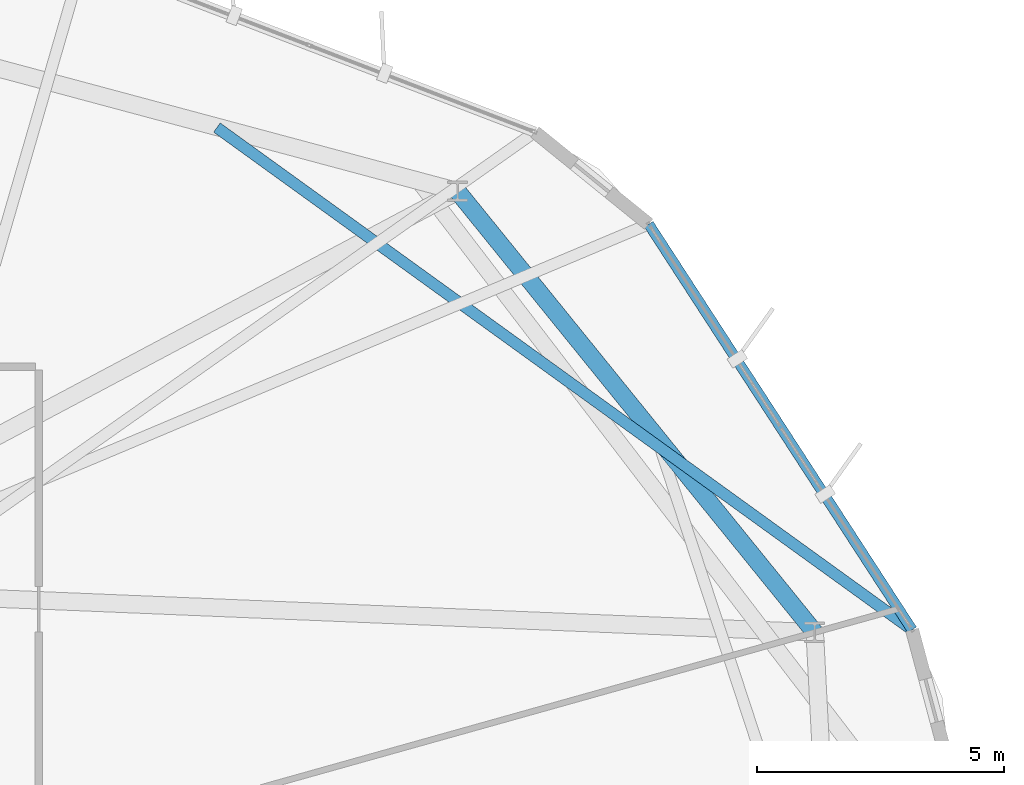
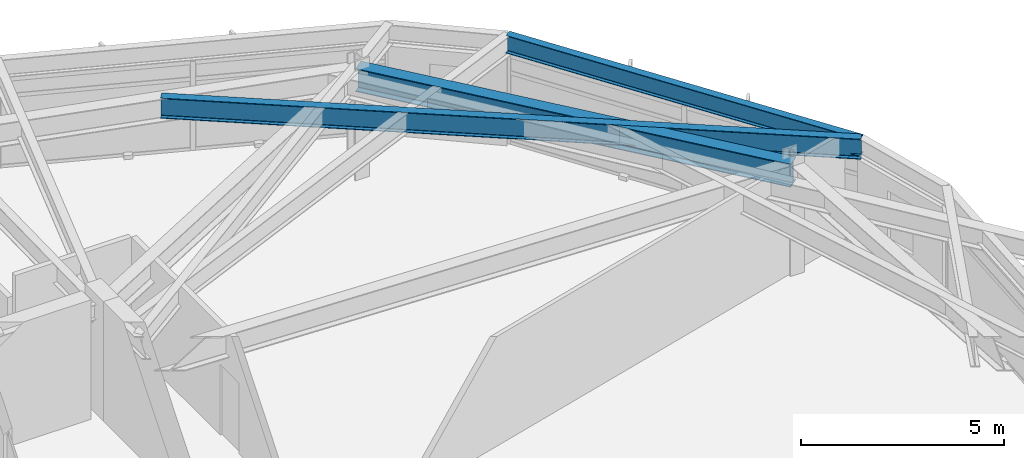
# One storey, part 21 of 29: 3 beams.
"""IFC4 building model written with IfcOpenShell, lengths in metres."""

import ifcopenshell
import ifcopenshell.guid

model = None  # the IFC model being written
_history = None  # IfcOwnerHistory: only IFC2X3 demands one
_inside = {}  # id of a spatial element -> (the spatial element, [elements in it])
_under = {}  # id of a project, library or spatial element -> (it, [spatial elements below it])
_declared = {}  # id of a project -> (the project, [libraries it declares])
_typed = {}  # id of a type object -> (the type object, [elements of that type])
_made_of = {}  # id of a material, layer set ... -> (it, [elements and type objects made of it])


def new_model(schema):
    """Start an empty IFC model of exactly this schema.

    Asked for "IFC4X3", IfcOpenShell would pick the latest addendum, in which some entities
    have other attributes; the version numbers below select the first issue.
    IFC2X3 requires an IfcOwnerHistory on every rooted entity: one is made here for all.
    """
    global model, _history
    if schema == "IFC4X3":
        model = ifcopenshell.file(schema_version=(4, 3, 0, 0))
    else:
        model = ifcopenshell.file(schema=schema)
    _inside.clear()
    _under.clear()
    _declared.clear()
    _typed.clear()
    _made_of.clear()
    _history = None
    if model.schema == "IFC2X3":
        org = make("IfcOrganization", Name="unknown")
        user = make(
            "IfcPersonAndOrganization",
            ThePerson=make("IfcPerson", FamilyName="unknown"),
            TheOrganization=org,
        )
        app = make(
            "IfcApplication",
            ApplicationDeveloper=org,
            Version="unknown",
            ApplicationFullName="unknown",
            ApplicationIdentifier="unknown",
        )
        _history = make(
            "IfcOwnerHistory",
            OwningUser=user,
            OwningApplication=app,
            ChangeAction="ADDED",
            CreationDate=0,
        )
    return model


def make(cls, **values):
    """One entity of the class cls with the attributes given. An attribute that is None is left unset."""
    return model.create_entity(
        cls, **{name: value for name, value in values.items() if value is not None}
    )


def rooted(cls, **values):
    """An entity with a GlobalId (a new one), such as an element, a storey or a relation."""
    return make(cls, GlobalId=ifcopenshell.guid.new(), OwnerHistory=_history, **values)


def si_unit(unit_type, name, prefix=None):
    """IfcSIUnit, for example si_unit("LENGTHUNIT", "METRE", prefix="MILLI")."""
    return make("IfcSIUnit", UnitType=unit_type, Prefix=prefix, Name=name)


def assignment(units):
    """IfcUnitAssignment: the units of a project."""
    return None if units is None else make("IfcUnitAssignment", Units=units)


def point(xyz):
    """IfcCartesianPoint."""
    return None if xyz is None else make("IfcCartesianPoint", Coordinates=xyz)


def direction(xyz):
    """IfcDirection."""
    return None if xyz is None else make("IfcDirection", DirectionRatios=xyz)


def frame(location, z_axis=None, x_axis=None):
    """IfcAxis2Placement3D, a coordinate frame: its origin and axes. An axis left out is left unset."""
    return make(
        "IfcAxis2Placement3D",
        Location=point(location),
        Axis=direction(z_axis),
        RefDirection=direction(x_axis),
    )


def frame_2d(location, x_axis=None):
    """IfcAxis2Placement2D, a coordinate frame in the plane: its origin and x axis."""
    return make(
        "IfcAxis2Placement2D", Location=point(location), RefDirection=direction(x_axis)
    )


def origin():
    """The frame at (0, 0, 0) with its axes left unset."""
    return frame((0.0, 0.0, 0.0))


def origin_2d():
    """The frame at (0, 0) in the plane with its x axis left unset."""
    return frame_2d((0.0, 0.0))


def place(relative_to, where):
    """IfcLocalPlacement: puts the frame where relative to a parent placement (None: the world)."""
    return make(
        "IfcLocalPlacement", PlacementRelTo=relative_to, RelativePlacement=where
    )


def context(
    kind, dimensions, precision=None, world=None, true_north=None, identifier=None
):
    """IfcGeometricRepresentationContext, for example the 3D "Model" context."""
    return make(
        "IfcGeometricRepresentationContext",
        ContextIdentifier=identifier,
        ContextType=kind,
        CoordinateSpaceDimension=dimensions,
        Precision=precision,
        WorldCoordinateSystem=world,
        TrueNorth=true_north,
    )


def subcontext(parent, identifier, kind, view, scale=None):
    """IfcGeometricRepresentationSubContext, for example "Body" below "Model"."""
    return make(
        "IfcGeometricRepresentationSubContext",
        ContextIdentifier=identifier,
        ContextType=kind,
        ParentContext=parent,
        TargetScale=scale,
        TargetView=view,
    )


def project(units=None, contexts=None):
    """IfcProject with its units and contexts."""
    return rooted(
        "IfcProject",
        Name="project",
        RepresentationContexts=contexts,
        UnitsInContext=assignment(units),
    )


def spatial(cls, under=None, at=None, **own):
    """A site, building, storey or space (cls), placed at a placement, below another one or the project."""
    s = rooted(cls, ObjectPlacement=at, **own)
    if under is not None:
        _under.setdefault(under.id(), (under, []))[1].append(s)
    return s


def profile(cls, at=None, kind="AREA", **sizes):
    """A parametric profile (cls). Its sizes go by their IFC names, for example OverallWidth=200.0."""
    return make(cls, ProfileType=kind, Position=at, **sizes)


def i_section(**sizes):
    """IfcIShapeProfileDef."""
    return profile("IfcIShapeProfileDef", **sizes)


def extrude(swept, where, along, depth):
    """IfcExtrudedAreaSolid: the profile swept, set in the frame where, extruded along a direction by depth."""
    return make(
        "IfcExtrudedAreaSolid",
        SweptArea=swept,
        Position=where,
        ExtrudedDirection=direction(along),
        Depth=depth,
    )


def shape(context_of_items, identifier, shape_type, items):
    """IfcShapeRepresentation: the items that make up one representation, for example the "Body"."""
    return make(
        "IfcShapeRepresentation",
        ContextOfItems=context_of_items,
        RepresentationIdentifier=identifier,
        RepresentationType=shape_type,
        Items=items,
    )


def material(Name=None, Category=None):
    """IfcMaterial."""
    return make("IfcMaterial", Name=Name, Category=Category)


def material_profile(
    of_material, cross_section, Name=None, Category=None, Priority=None
):
    """IfcMaterialProfile: a cross section and its material."""
    return make(
        "IfcMaterialProfile",
        Name=Name,
        Material=of_material,
        Profile=cross_section,
        Priority=Priority,
        Category=Category,
    )


def profile_set(profiles, Name=None, composite=None):
    """IfcMaterialProfileSet."""
    return make(
        "IfcMaterialProfileSet",
        Name=Name,
        MaterialProfiles=profiles,
        CompositeProfile=composite,
    )


def made_of(thing, what):
    """Note that an element or type object is made of a material, layer set ...; save() writes the relation."""
    if what is not None:
        _made_of.setdefault(what.id(), (what, []))[1].append(thing)
    return thing


def type_object(cls, material=None, **own):
    """A type object (cls), such as IfcWallType, which elements share."""
    return made_of(rooted(cls, **own), material)


def element(
    cls,
    number,
    at=None,
    inside=None,
    cuts=None,
    type_object=None,
    material=None,
    context=None,
    identifier="Body",
    shape_type=None,
    held_by="IfcProductDefinitionShape",
    body=None,
    shapes=None,
    **own,
):
    """One element of the class cls, such as IfcWall. Its Tag is "e" and its number.

    at: its placement. inside: the storey or other place that contains it. cuts: it is an
    opening in that element (IfcRelVoidsElement). A single representation is given by context,
    identifier, shape_type and body (its items); several are given by shapes. held_by: the class
    of the entity that holds the representations. save() writes the other relations.
    """
    e = rooted(cls, Tag="e%d" % number, ObjectPlacement=at, **own)
    if body is not None:
        shapes = [shape(context, identifier, shape_type, body)]
    if shapes is not None:
        e.Representation = make(held_by, Representations=shapes)
    if inside is not None:
        _inside.setdefault(inside.id(), (inside, []))[1].append(e)
    if cuts is not None:
        rooted(
            "IfcRelVoidsElement", RelatingBuildingElement=cuts, RelatedOpeningElement=e
        )
    if type_object is not None:
        _typed.setdefault(type_object.id(), (type_object, []))[1].append(e)
    return made_of(e, material)


def aggregate(whole, parts):
    """IfcRelAggregates: a whole, such as a stair, and the parts it consists of."""
    return rooted("IfcRelAggregates", RelatingObject=whole, RelatedObjects=parts)


def save(model, path):
    """Write the relations noted so far, then the file.

    IfcRelAggregates (storeys below a building ...), IfcRelContainedInSpatialStructure (elements
    in a storey), IfcRelDefinesByType, IfcRelAssociatesMaterial and IfcRelDeclares: one each for
    every whole, place, type object, material and project.
    """
    for whole, parts in _under.values():
        aggregate(whole, parts)
    for where, things in _inside.values():
        rooted(
            "IfcRelContainedInSpatialStructure",
            RelatedElements=things,
            RelatingStructure=where,
        )
    for kind, things in _typed.values():
        rooted("IfcRelDefinesByType", RelatedObjects=things, RelatingType=kind)
    for what, things in _made_of.values():
        rooted("IfcRelAssociatesMaterial", RelatedObjects=things, RelatingMaterial=what)
    for by, libraries in _declared.values():
        rooted("IfcRelDeclares", RelatingContext=by, RelatedDefinitions=libraries)
    model.write(path)


model = new_model("IFC4")

# Units and contexts
model_context = context("Model", 3, precision=1e-05, world=origin(), true_north=direction((0.0, 1.0)))
body_context = subcontext(model_context, "Body", "Model", "MODEL_VIEW")
ifc_project = project(units=[si_unit("LENGTHUNIT", "METRE"), si_unit("AREAUNIT", "SQUARE_METRE"), si_unit("VOLUMEUNIT", "CUBIC_METRE"), si_unit("PLANEANGLEUNIT", "RADIAN"), si_unit("MASSUNIT", "GRAM", prefix="KILO")], contexts=[model_context])

# Site, building, storey
site_placement = place(None, origin())
site = spatial("IfcSite", under=ifc_project, at=site_placement, CompositionType="ELEMENT")
building_placement = place(site_placement, origin())
building = spatial("IfcBuilding", under=site, at=building_placement, Name="Soratama Intermodal Tower", CompositionType="ELEMENT")
storey_placement = place(building_placement, frame((0.0, 0.0, 219.39990234375)))
storey = spatial("IfcBuildingStorey", under=building, at=storey_placement, Name="L55", CompositionType="ELEMENT", Elevation=219.39990234375)

# Beams
ifc_material_1 = material(Name="Structural steel ASTM A992 Grade 50", Category="steel")
ifc_material_profile_1 = material_profile(ifc_material_1, i_section(OverallWidth=0.35498046875, OverallDepth=0.695068359375, WebThickness=0.015380859375, FlangeThickness=0.02490234375, FilletRadius=0.01611328125, at=origin_2d()), Name="W27X146")
ifc_profile_set_1 = profile_set([ifc_material_profile_1], Name="Structural steel ASTM A992 Grade 50")
beam_type_1 = type_object("IfcBeamType", Name="BM-RING-W27X146", PredefinedType="BEAM", material=ifc_profile_set_1)
beam_1_placement = place(storey_placement, frame((62.364990234375, 31.666015625, 2.95263671875), z_axis=(-0.629384551156, 0.777094001242, 0.0), x_axis=(-0.777094001242, -0.629384551156, 0.0)))
element("IfcBeam", 1, at=beam_1_placement, inside=storey, type_object=beam_type_1, Name="BM-L55-RING-01", PredefinedType="BEAM", context=body_context, shape_type="SweptSolid", body=[
    extrude(i_section(OverallWidth=0.35498046875, OverallDepth=0.695068359375, WebThickness=0.015380859375, FlangeThickness=0.02490234375, FilletRadius=0.01611328125, at=origin_2d()), origin(), (0.0, 0.0, 1.0), 11.49560546875),
])
ifc_material_2 = material(Name="Structural steel ASTM A992 Grade 50", Category="steel")
ifc_material_profile_2 = material_profile(ifc_material_2, i_section(OverallWidth=0.2099609375, OverallDepth=0.537109375, WebThickness=0.010986328125, FlangeThickness=0.017333984375, FilletRadius=0.012939453125, at=origin_2d()), Name="W21X68")
ifc_profile_set_2 = profile_set([ifc_material_profile_2], Name="Structural steel ASTM A992 Grade 50")
beam_type_2 = type_object("IfcBeamType", Name="BM-SPN-W21X68", PredefinedType="SPANDREL", material=ifc_profile_set_2)
beam_2_placement = place(storey_placement, frame((64.337890625, 31.717041015625, 3.031494140625), z_axis=(-0.544619556087, 0.838683217388, 0.0), x_axis=(-0.838683217388, -0.544619556087, 0.0)))
element("IfcBeam", 2, at=beam_2_placement, inside=storey, type_object=beam_type_2, Name="BS-L55-F10", PredefinedType="SPANDREL", context=body_context, shape_type="SweptSolid", body=[
    extrude(i_section(OverallWidth=0.2099609375, OverallDepth=0.537109375, WebThickness=0.010986328125, FlangeThickness=0.017333984375, FilletRadius=0.012939453125, at=origin_2d()), origin(), (0.0, 0.0, 1.0), 9.797607421875),
])
ifc_material_3 = material(Name="Structural steel ASTM A992 Grade 50", Category="steel")
ifc_material_profile_3 = material_profile(ifc_material_3, i_section(OverallWidth=0.22900390625, OverallDepth=0.612060546875, WebThickness=0.011962890625, FlangeThickness=0.01953125, FilletRadius=0.012939453125, at=origin_2d()), Name="W24X84")
ifc_profile_set_3 = profile_set([ifc_material_profile_3], Name="Structural steel ASTM A992 Grade 50")
beam_type_3 = type_object("IfcBeamType", Name="BM-TIE-W24X84", PredefinedType="BEAM", material=ifc_profile_set_3)
beam_3_placement = place(storey_placement, frame((50.256103515625, 41.89111328125, 2.994140625), z_axis=(0.81057286131, -0.585637803175, 0.0), x_axis=(0.585637803175, 0.81057286131, 0.0)))
element("IfcBeam", 3, at=beam_3_placement, inside=storey, type_object=beam_type_3, Name="BM-L55-TIE0-10", PredefinedType="BEAM", context=body_context, shape_type="SweptSolid", body=[
    extrude(i_section(OverallWidth=0.22900390625, OverallDepth=0.612060546875, WebThickness=0.011962890625, FlangeThickness=0.01953125, FilletRadius=0.012939453125, at=origin_2d()), origin(), (0.0, 0.0, 1.0), 17.37255859375),
])

save(model, "model.ifc")
